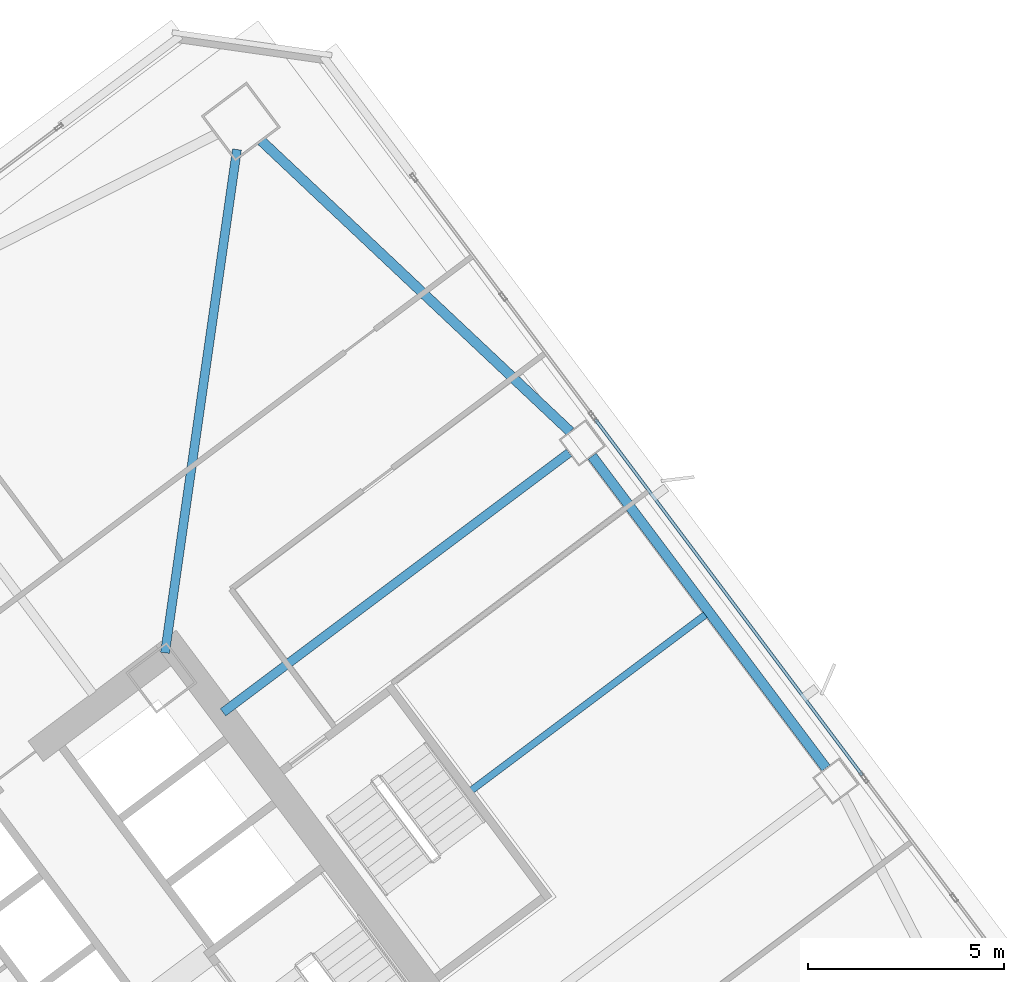
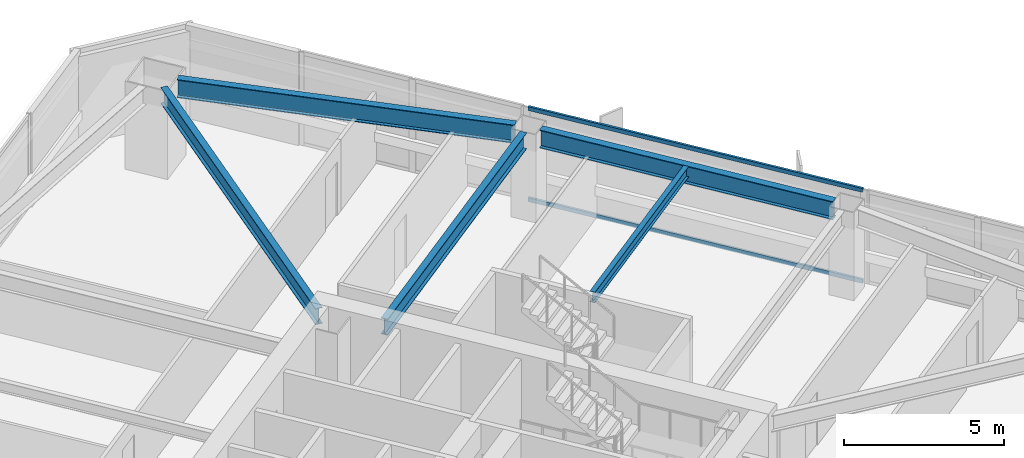
# One storey, part 32 of 49: 5 beams, 2 members, 1 element without a shape of its own.
"""IFC4 building model written with IfcOpenShell, lengths in metres."""

from ifc_helpers import new_model, si_unit, direction, frame, origin, origin_2d, place, context, subcontext, project, spatial, hollow_rectangle, i_section, extrude, material, material_profile, profile_set, type_object, element, aggregate, save


model = new_model("IFC4")

# Units and contexts
model_context = context("Model", 3, precision=1e-05, world=origin(), true_north=direction((0.0, 1.0)))
body_context = subcontext(model_context, "Body", "Model", "MODEL_VIEW")
ifc_project = project(units=[si_unit("LENGTHUNIT", "METRE"), si_unit("AREAUNIT", "SQUARE_METRE"), si_unit("VOLUMEUNIT", "CUBIC_METRE"), si_unit("PLANEANGLEUNIT", "RADIAN"), si_unit("MASSUNIT", "GRAM", prefix="KILO")], contexts=[model_context])

# Site, building, storey
site_placement = place(None, origin())
site = spatial("IfcSite", under=ifc_project, at=site_placement, CompositionType="ELEMENT")
building_placement = place(site_placement, origin())
building = spatial("IfcBuilding", under=site, at=building_placement, Name="Tashvorn Skyway Center", CompositionType="ELEMENT")
storey_placement = place(building_placement, frame((0.0, 0.0, 70.75)))
storey = spatial("IfcBuildingStorey", under=building, at=storey_placement, Name="L18", CompositionType="ELEMENT", Elevation=70.75)

# Beams
ifc_material_1 = material(Name="Steel ASTM A992 Grade 50", Category="steel")
ifc_material_profile_1 = material_profile(ifc_material_1, i_section(OverallWidth=0.22998046875, OverallDepth=0.616943359375, WebThickness=0.01318359375, FlangeThickness=0.022216796875, at=origin_2d()), Name="W24X94")
ifc_profile_set_1 = profile_set([ifc_material_profile_1], Name="Steel ASTM A992 Grade 50")
beam_type_1 = type_object("IfcBeamType", Name="BM-BEAM-W24X94", PredefinedType="BEAM", material=ifc_profile_set_1)
beam_1_placement = place(storey_placement, frame((117.338134765625, 55.3671875, 3.04150390625), z_axis=(-0.141418724841, -0.989949869571, 0.0), x_axis=(0.989949869571, -0.141418724841, 0.0)))
element("IfcBeam", 1, at=beam_1_placement, inside=storey, type_object=beam_type_1, Name="Tower 2 L18 Primary Floor Girder MC-NE", PredefinedType="BEAM", context=body_context, shape_type="SweptSolid", body=[
    extrude(i_section(OverallWidth=0.22998046875, OverallDepth=0.616943359375, WebThickness=0.01318359375, FlangeThickness=0.022216796875, at=origin_2d()), origin(), (0.0, 0.0, 1.0), 12.9892578125),
])
beam_2_placement = place(storey_placement, frame((125.823974609375, 47.617919921875, 3.04150390625), z_axis=(-0.800007953832, -0.599989394744, 0.0), x_axis=(0.599989394744, -0.800007953832, 0.0)))
element("IfcBeam", 2, at=beam_2_placement, inside=storey, type_object=beam_type_1, Name="Tower 2 L18 Primary Floor Girder FC-E2", PredefinedType="BEAM", context=body_context, shape_type="SweptSolid", body=[
    extrude(i_section(OverallWidth=0.22998046875, OverallDepth=0.616943359375, WebThickness=0.01318359375, FlangeThickness=0.022216796875, at=origin_2d()), origin(), (0.0, 0.0, 1.0), 11.050048828125),
])
ifc_material_profile_2 = material_profile(ifc_material_1, i_section(OverallWidth=0.177978515625, OverallDepth=0.406005859375, WebThickness=0.0078125, FlangeThickness=0.0126953125, at=origin_2d()), Name="W16X40")
ifc_profile_set_2 = profile_set([ifc_material_profile_2], Name="Steel ASTM A992 Grade 50")
beam_type_2 = type_object("IfcBeamType", Name="BM-JOIST-W16X40", PredefinedType="JOIST", material=ifc_profile_set_2)
beam_3_placement = place(storey_placement, frame((123.3359375, 39.001953125, 3.14697265625), z_axis=(0.799996072819, 0.600005236206, 0.0), x_axis=(-0.600005236206, 0.799996072819, 0.0)))
element("IfcBeam", 3, at=beam_3_placement, inside=storey, type_object=beam_type_2, Name="Tower 2 L18 Secondary Composite Joist JE", PredefinedType="JOIST", context=body_context, shape_type="SweptSolid", body=[
    extrude(i_section(OverallWidth=0.177978515625, OverallDepth=0.406005859375, WebThickness=0.0078125, FlangeThickness=0.0126953125, at=origin_2d()), origin(), (0.0, 0.0, 1.0), 7.4599609375),
])
ifc_material_profile_3 = material_profile(ifc_material_1, i_section(OverallWidth=0.256103515625, OverallDepth=0.693115234375, WebThickness=0.014404296875, FlangeThickness=0.023681640625, at=origin_2d()), Name="W27X114")
ifc_profile_set_3 = profile_set([ifc_material_profile_3], Name="Steel ASTM A992 Grade 50")
beam_type_3 = type_object("IfcBeamType", Name="BM-SPANDREL-W27X114", PredefinedType="SPANDREL", material=ifc_profile_set_3)
beam_4_placement = place(storey_placement, frame((132.387939453125, 39.56591796875, 3.00341796875), z_axis=(-0.599988234018, 0.800008824351, 0.0), x_axis=(-0.800008824351, -0.599988234018, 0.0)))
element("IfcBeam", 4, at=beam_4_placement, inside=storey, type_object=beam_type_3, Name="Tower 2 L18 Spandrel Beam 05", PredefinedType="SPANDREL", context=body_context, shape_type="SweptSolid", body=[
    extrude(i_section(OverallWidth=0.256103515625, OverallDepth=0.693115234375, WebThickness=0.014404296875, FlangeThickness=0.023681640625, at=origin_2d()), origin(), (0.0, 0.0, 1.0), 9.9599609375),
])
beam_5_placement = place(storey_placement, frame((125.854248046875, 48.157958984375, 3.00341796875), z_axis=(-0.728086883893, 0.685484857238, 0.0), x_axis=(-0.685484857238, -0.728086883893, 0.0)))
element("IfcBeam", 5, at=beam_5_placement, inside=storey, type_object=beam_type_3, Name="Tower 2 L18 Spandrel Beam 06", PredefinedType="SPANDREL", context=body_context, shape_type="SweptSolid", body=[
    extrude(i_section(OverallWidth=0.256103515625, OverallDepth=0.693115234375, WebThickness=0.014404296875, FlangeThickness=0.023681640625, at=origin_2d()), origin(), (0.0, 0.0, 1.0), 10.8369140625),
])

# Curtain wall, members
ifc_material_2 = material(Name="Thermally broken bronze-anodized aluminium 6063-T6", Category="aluminium")
curtain_wall_type = type_object("IfcCurtainWallType", Name="CW-CW-Z2", PredefinedType="NOTDEFINED", material=ifc_material_2)
curtain_wall_placement = place(storey_placement, origin())
curtain_wall = element("IfcCurtainWall", 6, at=curtain_wall_placement, inside=storey, type_object=curtain_wall_type, Name="Tower 2 L18 East Unitised Curtain Wall Glazing Group 2", PredefinedType="NOTDEFINED")
ifc_material_profile_4 = material_profile(ifc_material_2, hollow_rectangle(XDim=0.080078125, YDim=0.14990234375, WallThickness=0.00439453125, at=origin_2d()), Name="ALU-TRAN-80x150")
ifc_profile_set_4 = profile_set([ifc_material_profile_4], Name="Thermally broken bronze-anodized aluminium 6063-T6")
member_type = type_object("IfcMemberType", Name="CWT-CW-Z2", PredefinedType="USERDEFINED", material=ifc_profile_set_4)
member_1_placement = place(storey_placement, frame((126.49609375, 48.471923828125, 0.0400390625), z_axis=(0.6, -0.8, 0.0), x_axis=(0.8, 0.6, 0.0)))
member_1 = element("IfcMember", 7, at=member_1_placement, type_object=member_type, Name="CW-Z2 transom 1.1", ObjectType="TRANSOM", PredefinedType="USERDEFINED", context=body_context, shape_type="SweptSolid", body=[
    extrude(hollow_rectangle(XDim=0.080078125, YDim=0.14990234375, WallThickness=0.00439453125, at=origin_2d()), origin(), (0.0, 0.0, 1.0), 11.35986328125),
])
member_2_placement = place(storey_placement, frame((126.49609375, 48.471923828125, 3.510009765625), z_axis=(0.6, -0.8, 0.0), x_axis=(0.8, 0.6, 0.0)))
member_2 = element("IfcMember", 8, at=member_2_placement, type_object=member_type, Name="CW-Z2 transom 1.2", ObjectType="TRANSOM", PredefinedType="USERDEFINED", context=body_context, shape_type="SweptSolid", body=[
    extrude(hollow_rectangle(XDim=0.080078125, YDim=0.14990234375, WallThickness=0.00439453125, at=origin_2d()), origin(), (0.0, 0.0, 1.0), 11.35986328125),
])
aggregate(curtain_wall, [member_1, member_2])

save(model, "model.ifc")
